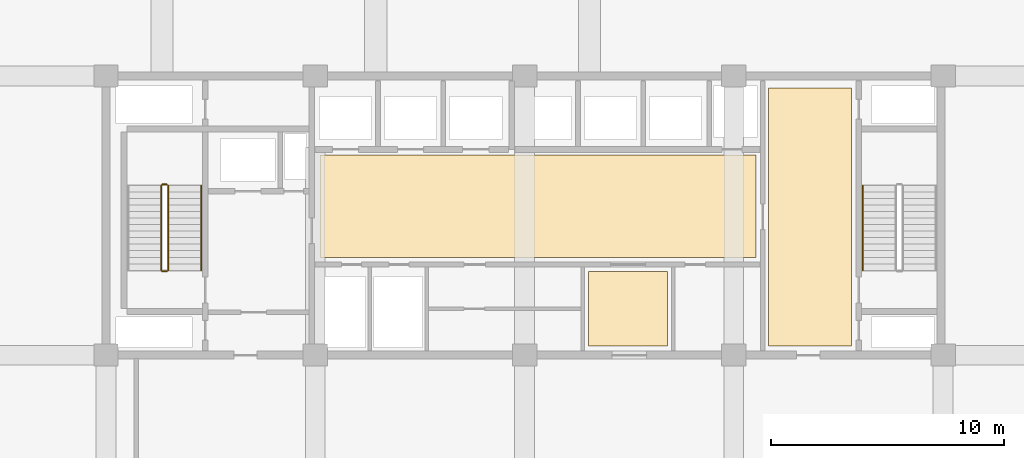
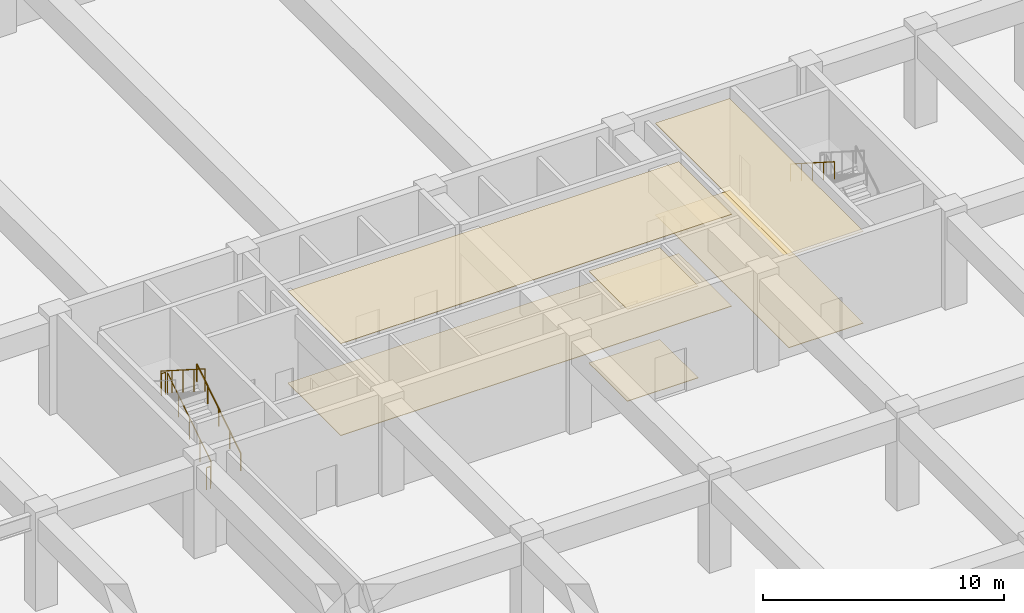
# One storey, part 33 of 38: 6 coverings, 6 railings.
"""IFC4 building model written with IfcOpenShell, lengths in metres."""

from ifc_helpers import new_model, si_unit, direction, frame, origin, origin_2d, place, context, subcontext, project, spatial, polyline, circle, outline, extrude, material, layer, layer_set, type_object, element, save


model = new_model("IFC4")

# Units and contexts
model_context = context("Model", 3, precision=1e-05, world=origin(), true_north=direction((0.0, 1.0)))
body_context = subcontext(model_context, "Body", "Model", "MODEL_VIEW")
ifc_project = project(units=[si_unit("LENGTHUNIT", "METRE"), si_unit("AREAUNIT", "SQUARE_METRE"), si_unit("VOLUMEUNIT", "CUBIC_METRE"), si_unit("PLANEANGLEUNIT", "RADIAN"), si_unit("MASSUNIT", "GRAM", prefix="KILO")], contexts=[model_context])

# Site, building, storey
site_placement = place(None, origin())
site = spatial("IfcSite", under=ifc_project, at=site_placement, CompositionType="ELEMENT")
building_placement = place(site_placement, origin())
building = spatial("IfcBuilding", under=site, at=building_placement, Name="Korimba Cascade Residences", CompositionType="ELEMENT")
storey_placement = place(building_placement, frame((0.0, 0.0, 19.0)))
storey = spatial("IfcBuildingStorey", under=building, at=storey_placement, Name="L04", CompositionType="ELEMENT", Elevation=19.0)

# Coverings
ifc_material_1 = material(Name="Perforated Acoustic Gypsum Ceiling", Category="gypsum")
ifc_layer_1 = layer(ifc_material_1, 0.02490234375)
ifc_layer_set_1 = layer_set([ifc_layer_1], Name="Perforated Acoustic Gypsum Ceiling")
covering_type_1 = type_object("IfcCoveringType", Name="COV-CLG-AC", PredefinedType="CEILING", material=ifc_layer_set_1)
covering_1_placement = place(storey_placement, frame((0.0, 0.0, 4.655029296875)))
element("IfcCovering", 1, at=covering_1_placement, inside=storey, type_object=covering_type_1, Name="L04 Suspended Acoustic Ceiling L04-LL2", PredefinedType="CEILING", context=body_context, shape_type="SweptSolid", body=[
    extrude(outline(polyline([(91.300048828125, 22.60009765625), (110.050048828125, 22.60009765625), (110.050048828125, 27.0), (91.300048828125, 27.0), (91.300048828125, 22.60009765625)])), origin(), (0.0, 0.0, 1.0), 0.02490234375),
])
covering_2_placement = place(storey_placement, frame((0.0, 0.0, 4.655029296875)))
element("IfcCovering", 2, at=covering_2_placement, inside=storey, type_object=covering_type_1, Name="L04 Suspended Acoustic Ceiling L04-LT2", PredefinedType="CEILING", context=body_context, shape_type="SweptSolid", body=[
    extrude(outline(polyline([(102.85009765625, 18.800048828125), (106.25, 18.800048828125), (106.25, 22.0), (102.85009765625, 22.0), (102.85009765625, 18.800048828125)])), origin(), (0.0, 0.0, 1.0), 0.02490234375),
])
covering_3_placement = place(storey_placement, frame((0.0, 0.0, 4.655029296875)))
element("IfcCovering", 3, at=covering_3_placement, inside=storey, type_object=covering_type_1, Name="L04 Suspended Acoustic Ceiling L04-EV2", PredefinedType="CEILING", context=body_context, shape_type="SweptSolid", body=[
    extrude(outline(polyline([(110.60009765625, 18.800048828125), (114.169921875, 18.800048828125), (114.169921875, 29.89990234375), (110.60009765625, 29.89990234375), (110.60009765625, 18.800048828125)])), origin(), (0.0, 0.0, 1.0), 0.02490234375),
])
ifc_material_2 = material(Name="Honed Travertine Stone Flooring", Category="masonry")
ifc_layer_2 = layer(ifc_material_2, 0.02490234375)
ifc_layer_set_2 = layer_set([ifc_layer_2], Name="Honed Travertine Stone Flooring")
covering_type_2 = type_object("IfcCoveringType", Name="COV-FLR-STN", PredefinedType="FLOORING", material=ifc_layer_set_2)
covering_4_placement = place(storey_placement, origin())
element("IfcCovering", 4, at=covering_4_placement, inside=storey, type_object=covering_type_2, Name="L04 Honed Travertine Stone Flooring L04-LL2", PredefinedType="FLOORING", context=body_context, shape_type="SweptSolid", body=[
    extrude(outline(polyline([(91.300048828125, 22.60009765625), (110.050048828125, 22.60009765625), (110.050048828125, 27.0), (91.300048828125, 27.0), (91.300048828125, 22.60009765625)])), origin(), (0.0, 0.0, 1.0), 0.02490234375),
])
covering_5_placement = place(storey_placement, origin())
element("IfcCovering", 5, at=covering_5_placement, inside=storey, type_object=covering_type_2, Name="L04 Honed Travertine Stone Flooring L04-LT2", PredefinedType="FLOORING", context=body_context, shape_type="SweptSolid", body=[
    extrude(outline(polyline([(102.85009765625, 18.800048828125), (106.25, 18.800048828125), (106.25, 22.0), (102.85009765625, 22.0), (102.85009765625, 18.800048828125)])), origin(), (0.0, 0.0, 1.0), 0.02490234375),
])
covering_6_placement = place(storey_placement, origin())
element("IfcCovering", 6, at=covering_6_placement, inside=storey, type_object=covering_type_2, Name="L04 Honed Travertine Stone Flooring L04-EV2", PredefinedType="FLOORING", context=body_context, shape_type="SweptSolid", body=[
    extrude(outline(polyline([(110.60009765625, 18.800048828125), (114.169921875, 18.800048828125), (114.169921875, 29.89990234375), (110.60009765625, 29.89990234375), (110.60009765625, 18.800048828125)])), origin(), (0.0, 0.0, 1.0), 0.02490234375),
])

# Railings
ifc_material_3 = material(Name="Painted Steel Stairwell Guardrail", Category="steel")
railing_type_1 = type_object("IfcRailingType", Name="RLG-ST-GD1150", PredefinedType="GUARDRAIL", material=ifc_material_3)
railing_1_placement = place(storey_placement, frame((84.77001953125, 22.050048828125, 0.178466796875)))
element("IfcRailing", 7, at=railing_1_placement, inside=storey, type_object=railing_type_1, Name="L04 ST-E1 stair guard 1", PredefinedType="GUARDRAIL", context=body_context, shape_type="SweptSolid", body=[
    extrude(circle(Radius=0.02392578125, at=origin_2d()), frame((0.0, 0.0, 1.1259765625), z_axis=(0.0, 0.843111507901, 0.53773877045), x_axis=(-1.0, 0.0, 0.0)), (0.0, 0.0, 1.0), 4.317138671875),
    extrude(circle(Radius=0.02099609375, at=origin_2d()), origin(), (0.0, 0.0, 1.0), 1.101806640625),
    extrude(circle(Radius=0.02099609375, at=origin_2d()), frame((0.0, 0.909912109375, 0.580322265625)), (0.0, 0.0, 1.0), 1.101806640625),
    extrude(circle(Radius=0.02099609375, at=origin_2d()), frame((0.0, 1.81982421875, 1.16064453125)), (0.0, 0.0, 1.0), 1.101806640625),
    extrude(circle(Radius=0.02099609375, at=origin_2d()), frame((0.0, 2.72998046875, 1.7412109375)), (0.0, 0.0, 1.0), 1.101806640625),
    extrude(circle(Radius=0.02099609375, at=origin_2d()), frame((0.0, 3.639892578125, 2.321533203125)), (0.0, 0.0, 1.0), 1.101806640625),
])
railing_2_placement = place(storey_placement, frame((84.719970703125, 25.739990234375, 2.5)))
element("IfcRailing", 8, at=railing_2_placement, inside=storey, type_object=railing_type_1, Name="L04 ST-E1 stair guard 2", PredefinedType="GUARDRAIL", context=body_context, shape_type="SweptSolid", body=[
    extrude(circle(Radius=0.02392578125, at=origin_2d()), frame((0.0, 0.0, 1.1259765625), z_axis=(-1.0, 0.0, 0.0), x_axis=(0.0, -1.0, 0.0)), (0.0, 0.0, 1.0), 0.199951171875),
    extrude(circle(Radius=0.02099609375, at=origin_2d()), origin(), (0.0, 0.0, 1.0), 1.101806640625),
    extrude(circle(Radius=0.02099609375, at=origin_2d()), frame((-0.199951171875, 0.0, 0.0)), (0.0, 0.0, 1.0), 1.101806640625),
])
railing_3_placement = place(storey_placement, frame((84.469970703125, 25.68994140625, 2.678466796875)))
element("IfcRailing", 9, at=railing_3_placement, inside=storey, type_object=railing_type_1, Name="L04 ST-E1 stair guard 3", PredefinedType="GUARDRAIL", context=body_context, shape_type="SweptSolid", body=[
    extrude(circle(Radius=0.02392578125, at=origin_2d()), frame((0.0, 0.0, 1.1259765625), z_axis=(0.0, -0.843111507901, 0.53773877045), x_axis=(1.0, 0.0, 0.0)), (0.0, 0.0, 1.0), 4.317138671875),
    extrude(circle(Radius=0.02099609375, at=origin_2d()), origin(), (0.0, 0.0, 1.0), 1.101806640625),
    extrude(circle(Radius=0.02099609375, at=origin_2d()), frame((0.0, -0.909912109375, 0.580322265625)), (0.0, 0.0, 1.0), 1.101806640625),
    extrude(circle(Radius=0.02099609375, at=origin_2d()), frame((0.0, -1.81982421875, 1.16064453125)), (0.0, 0.0, 1.0), 1.101806640625),
    extrude(circle(Radius=0.02099609375, at=origin_2d()), frame((0.0, -2.72998046875, 1.7412109375)), (0.0, 0.0, 1.0), 1.101806640625),
    extrude(circle(Radius=0.02099609375, at=origin_2d()), frame((0.0, -3.639892578125, 2.321533203125)), (0.0, 0.0, 1.0), 1.101806640625),
])
railing_4_placement = place(storey_placement, frame((84.719970703125, 22.0, 0.0)))
element("IfcRailing", 10, at=railing_4_placement, inside=storey, type_object=railing_type_1, Name="L04 ST-E1 stair guard 4", PredefinedType="GUARDRAIL", context=body_context, shape_type="SweptSolid", body=[
    extrude(circle(Radius=0.02392578125, at=origin_2d()), frame((0.0, 0.0, 1.1259765625), z_axis=(-1.0, 0.0, 0.0), x_axis=(0.0, -1.0, 0.0)), (0.0, 0.0, 1.0), 0.199951171875),
    extrude(circle(Radius=0.02099609375, at=origin_2d()), origin(), (0.0, 0.0, 1.0), 1.101806640625),
    extrude(circle(Radius=0.02099609375, at=origin_2d()), frame((-0.199951171875, 0.0, 0.0)), (0.0, 0.0, 1.0), 1.101806640625),
])
ifc_material_4 = material(Name="Brushed Stainless Steel Handrail", Category="steel")
railing_type_2 = type_object("IfcRailingType", Name="RLG-ST-HR900", PredefinedType="HANDRAIL", material=ifc_material_4)
railing_5_placement = place(storey_placement, frame((86.18994140625, 22.050048828125, 0.36083984375)))
element("IfcRailing", 11, at=railing_5_placement, inside=storey, type_object=railing_type_2, Name="L04 ST-E1 stair handrail 1", PredefinedType="HANDRAIL", context=body_context, shape_type="SweptSolid", body=[
    extrude(circle(Radius=0.02392578125, at=origin_2d()), frame((0.0, 0.0, 0.8759765625), z_axis=(0.0, 0.843111507901, 0.53773877045), x_axis=(-1.0, 0.0, 0.0)), (0.0, 0.0, 1.0), 4.317138671875),
    extrude(circle(Radius=0.02099609375, at=origin_2d()), origin(), (0.0, 0.0, 1.0), 0.851806640625),
    extrude(circle(Radius=0.02099609375, at=origin_2d()), frame((0.0, 0.909912109375, 0.580322265625)), (0.0, 0.0, 1.0), 0.851806640625),
    extrude(circle(Radius=0.02099609375, at=origin_2d()), frame((0.0, 1.81982421875, 1.16064453125)), (0.0, 0.0, 1.0), 0.851806640625),
    extrude(circle(Radius=0.02099609375, at=origin_2d()), frame((0.0, 2.72998046875, 1.7412109375)), (0.0, 0.0, 1.0), 0.851806640625),
    extrude(circle(Radius=0.02099609375, at=origin_2d()), frame((0.0, 3.639892578125, 2.321533203125)), (0.0, 0.0, 1.0), 0.851806640625),
])
railing_6_placement = place(storey_placement, frame((114.64990234375, 25.68994140625, 2.86083984375)))
element("IfcRailing", 12, at=railing_6_placement, inside=storey, type_object=railing_type_2, Name="L04 ST-E2 stair handrail 2", PredefinedType="HANDRAIL", context=body_context, shape_type="SweptSolid", body=[
    extrude(circle(Radius=0.02392578125, at=origin_2d()), frame((0.0, 0.0, 0.8759765625), z_axis=(0.0, -0.843111507901, 0.53773877045), x_axis=(1.0, 0.0, 0.0)), (0.0, 0.0, 1.0), 4.317138671875),
    extrude(circle(Radius=0.02099609375, at=origin_2d()), origin(), (0.0, 0.0, 1.0), 0.851806640625),
    extrude(circle(Radius=0.02099609375, at=origin_2d()), frame((0.0, -0.909912109375, 0.580322265625)), (0.0, 0.0, 1.0), 0.851806640625),
    extrude(circle(Radius=0.02099609375, at=origin_2d()), frame((0.0, -1.81982421875, 1.16064453125)), (0.0, 0.0, 1.0), 0.851806640625),
    extrude(circle(Radius=0.02099609375, at=origin_2d()), frame((0.0, -2.72998046875, 1.7412109375)), (0.0, 0.0, 1.0), 0.851806640625),
    extrude(circle(Radius=0.02099609375, at=origin_2d()), frame((0.0, -3.639892578125, 2.321533203125)), (0.0, 0.0, 1.0), 0.851806640625),
])

save(model, "model.ifc")
